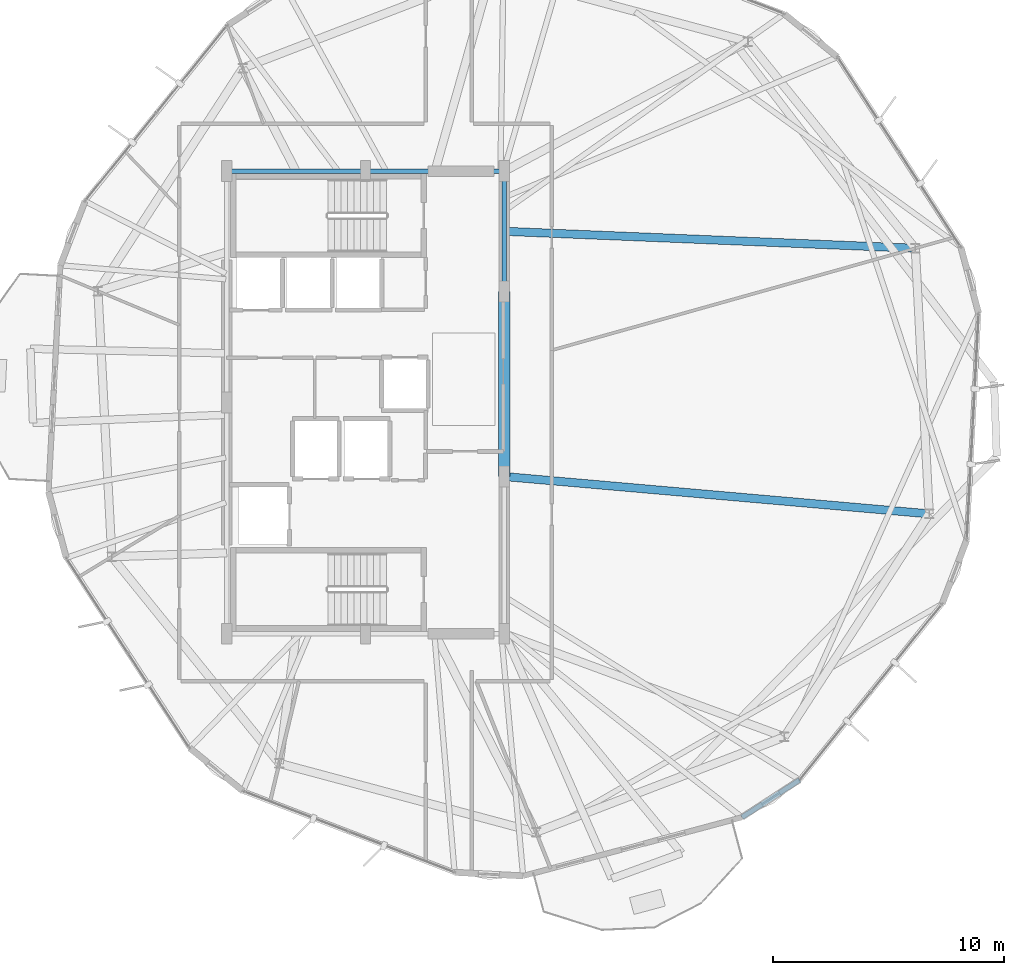
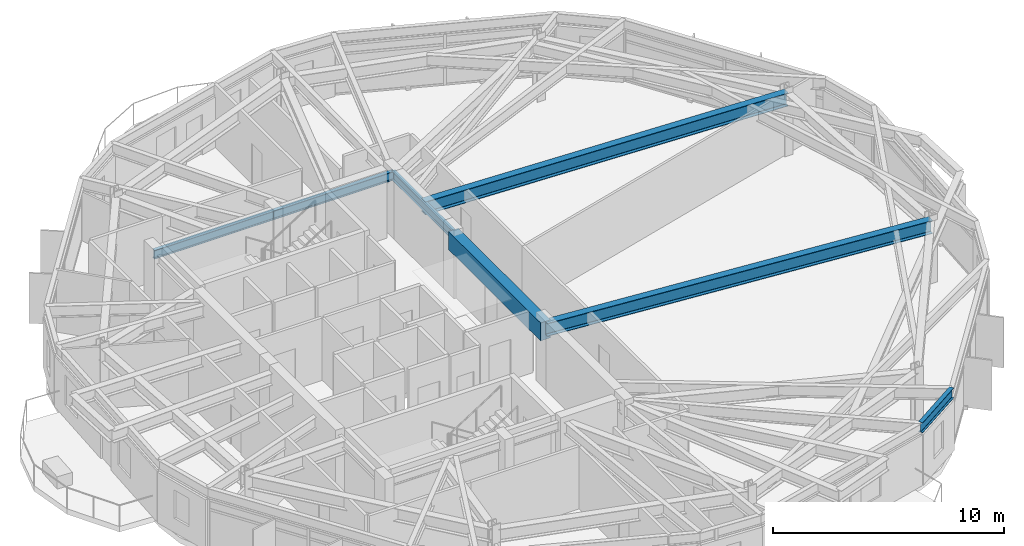
# One storey, part 7 of 29: 7 beams.
"""IFC4 building model written with IfcOpenShell, lengths in metres."""

from ifc_helpers import new_model, si_unit, direction, frame, origin, origin_2d, place, context, subcontext, project, spatial, rectangle, i_section, extrude, material, material_profile, profile_set, type_object, element, save


model = new_model("IFC4")

# Units and contexts
model_context = context("Model", 3, precision=1e-05, world=origin(), true_north=direction((0.0, 1.0)))
body_context = subcontext(model_context, "Body", "Model", "MODEL_VIEW")
ifc_project = project(units=[si_unit("LENGTHUNIT", "METRE"), si_unit("AREAUNIT", "SQUARE_METRE"), si_unit("VOLUMEUNIT", "CUBIC_METRE"), si_unit("PLANEANGLEUNIT", "RADIAN"), si_unit("MASSUNIT", "GRAM", prefix="KILO")], contexts=[model_context])

# Site, building, storey
site_placement = place(None, origin())
site = spatial("IfcSite", under=ifc_project, at=site_placement, CompositionType="ELEMENT")
building_placement = place(site_placement, origin())
building = spatial("IfcBuilding", under=site, at=building_placement, Name="Soratama Intermodal Tower", CompositionType="ELEMENT")
storey_placement = place(building_placement, frame((0.0, 0.0, 219.39990234375)))
storey = spatial("IfcBuildingStorey", under=building, at=storey_placement, Name="L55", CompositionType="ELEMENT", Elevation=219.39990234375)

# Beams
ifc_material_1 = material(Name="Concrete f'c 56 MPa", Category="concrete")
ifc_material_profile_1 = material_profile(ifc_material_1, rectangle(XDim=0.5, YDim=0.949951171875, at=origin_2d()), Name="RC500X950")
ifc_profile_set_1 = profile_set([ifc_material_profile_1], Name="Concrete f'c 56 MPa")
beam_type_1 = type_object("IfcBeamType", Name="BM-CPL-RC500X950", PredefinedType="BEAM", material=ifc_profile_set_1)
beam_1_placement = place(storey_placement, frame((44.60009765625, 21.800048828125, 2.8251953125), z_axis=(0.0, 1.0, 0.0), x_axis=(-1.0, 0.0, 0.0)))
element("IfcBeam", 1, at=beam_1_placement, inside=storey, type_object=beam_type_1, Name="L55 Core Coupling Beam East", PredefinedType="BEAM", context=body_context, shape_type="SweptSolid", body=[
    extrude(rectangle(XDim=0.5, YDim=0.949951171875, at=origin_2d()), origin(), (0.0, 0.0, 1.0), 8.0),
])
ifc_material_2 = material(Name="Structural steel ASTM A992 Grade 50", Category="steel")
ifc_material_profile_2 = material_profile(ifc_material_2, i_section(OverallWidth=0.19091796875, OverallDepth=0.4599609375, WebThickness=0.010009765625, FlangeThickness=0.01611328125, FilletRadius=0.010986328125, at=origin_2d()), Name="W18X55")
ifc_profile_set_2 = profile_set([ifc_material_profile_2], Name="Structural steel ASTM A992 Grade 50")
beam_type_2 = type_object("IfcBeamType", Name="BM-FLR-W18X55", PredefinedType="BEAM", material=ifc_profile_set_2)
beam_2_placement = place(storey_placement, frame((44.60009765625, 29.800048828125, 3.070068359375), z_axis=(0.0, 1.0, 0.0), x_axis=(-1.0, 0.0, 0.0)))
element("IfcBeam", 2, at=beam_2_placement, inside=storey, type_object=beam_type_2, Name="BM-L55-CRING-05", PredefinedType="BEAM", context=body_context, shape_type="SweptSolid", body=[
    extrude(i_section(OverallWidth=0.19091796875, OverallDepth=0.4599609375, WebThickness=0.010009765625, FlangeThickness=0.01611328125, FilletRadius=0.010986328125, at=origin_2d()), origin(), (0.0, 0.0, 1.0), 5.199951171875),
])
for number, where, z_axis, x_axis, name in (
    (3, (44.60009765625, 35.0, 3.070068359375), (-1.0, 0.0, 0.0), (0.0, -1.0, 0.0), "BM-L55-CRING-06"),
    (4, (38.60009765625, 35.0, 3.070068359375), (-1.0, 0.0, 0.0), (0.0, -1.0, 0.0), "BM-L55-CRING-07"),
):
    element("IfcBeam", number, at=place(storey_placement, frame(where, z_axis=z_axis, x_axis=x_axis)), inside=storey, type_object=beam_type_2, Name=name, PredefinedType="BEAM", context=body_context, shape_type="SweptSolid", body=[
        extrude(i_section(OverallWidth=0.19091796875, OverallDepth=0.4599609375, WebThickness=0.010009765625, FlangeThickness=0.01611328125, FilletRadius=0.010986328125, at=origin_2d()), origin(), (0.0, 0.0, 1.0), 6.0),
    ])
ifc_material_3 = material(Name="Structural steel ASTM A992 Grade 50", Category="steel")
ifc_material_profile_3 = material_profile(ifc_material_3, i_section(OverallWidth=0.35498046875, OverallDepth=0.695068359375, WebThickness=0.015380859375, FlangeThickness=0.02490234375, FilletRadius=0.01611328125, at=origin_2d()), Name="W27X146")
ifc_profile_set_3 = profile_set([ifc_material_profile_3], Name="Structural steel ASTM A992 Grade 50")
beam_type_3 = type_object("IfcBeamType", Name="BM-RING-W27X146", PredefinedType="BEAM", material=ifc_profile_set_3)
beam_3_placement = place(storey_placement, frame((44.60009765625, 32.39990234375, 2.95263671875), z_axis=(0.999147788389, -0.041275864109, 0.0), x_axis=(0.041275864109, 0.999147788389, 0.0)))
element("IfcBeam", 5, at=beam_3_placement, inside=storey, type_object=beam_type_3, Name="BM-L55-RAD-01", PredefinedType="BEAM", context=body_context, shape_type="SweptSolid", body=[
    extrude(i_section(OverallWidth=0.35498046875, OverallDepth=0.695068359375, WebThickness=0.015380859375, FlangeThickness=0.02490234375, FilletRadius=0.01611328125, at=origin_2d()), origin(), (0.0, 0.0, 1.0), 17.780029296875),
])
beam_4_placement = place(storey_placement, frame((44.60009765625, 21.800048828125, 2.95263671875), z_axis=(0.996160716813, -0.087543282317, 0.0), x_axis=(0.087543282317, 0.996160716813, 0.0)))
element("IfcBeam", 6, at=beam_4_placement, inside=storey, type_object=beam_type_3, Name="BM-L55-RAD-10", PredefinedType="BEAM", context=body_context, shape_type="SweptSolid", body=[
    extrude(i_section(OverallWidth=0.35498046875, OverallDepth=0.695068359375, WebThickness=0.015380859375, FlangeThickness=0.02490234375, FilletRadius=0.01611328125, at=origin_2d()), origin(), (0.0, 0.0, 1.0), 18.436767578125),
])
ifc_material_4 = material(Name="Structural steel ASTM A992 Grade 50", Category="steel")
ifc_material_profile_4 = material_profile(ifc_material_4, i_section(OverallWidth=0.2099609375, OverallDepth=0.537109375, WebThickness=0.010986328125, FlangeThickness=0.017333984375, FilletRadius=0.012939453125, at=origin_2d()), Name="W21X68")
ifc_profile_set_4 = profile_set([ifc_material_profile_4], Name="Structural steel ASTM A992 Grade 50")
beam_type_4 = type_object("IfcBeamType", Name="BM-SPN-W21X68", PredefinedType="SPANDREL", material=ifc_profile_set_4)
beam_5_placement = place(storey_placement, frame((54.876953125, 7.068115234375, 3.031494140625), z_axis=(0.83853951654, 0.544840783349, 0.0), x_axis=(-0.544840783349, 0.83853951654, 0.0)))
element("IfcBeam", 7, at=beam_5_placement, inside=storey, type_object=beam_type_4, Name="BS-L55-CRN07", PredefinedType="SPANDREL", context=body_context, shape_type="SweptSolid", body=[
    extrude(i_section(OverallWidth=0.2099609375, OverallDepth=0.537109375, WebThickness=0.010986328125, FlangeThickness=0.017333984375, FilletRadius=0.012939453125, at=origin_2d()), origin(), (0.0, 0.0, 1.0), 2.966064453125),
])

save(model, "model.ifc")
